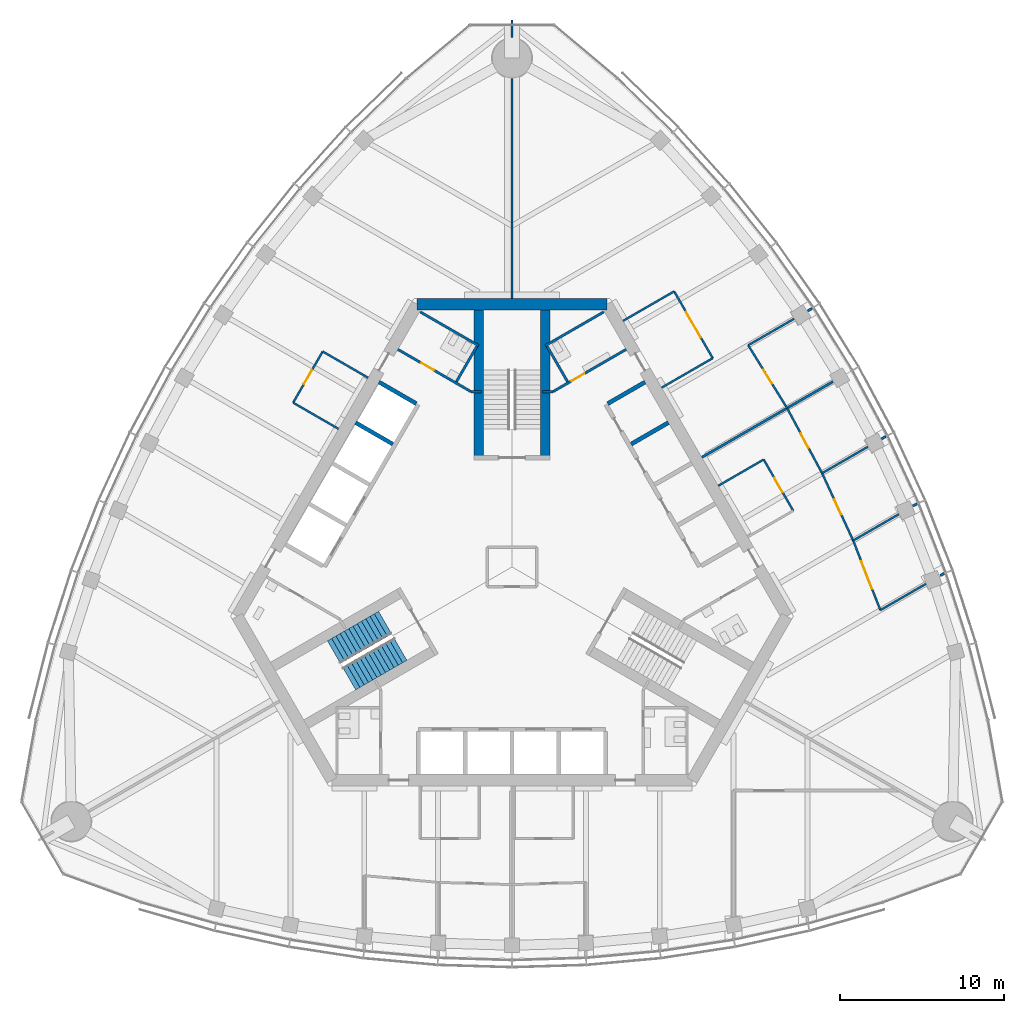
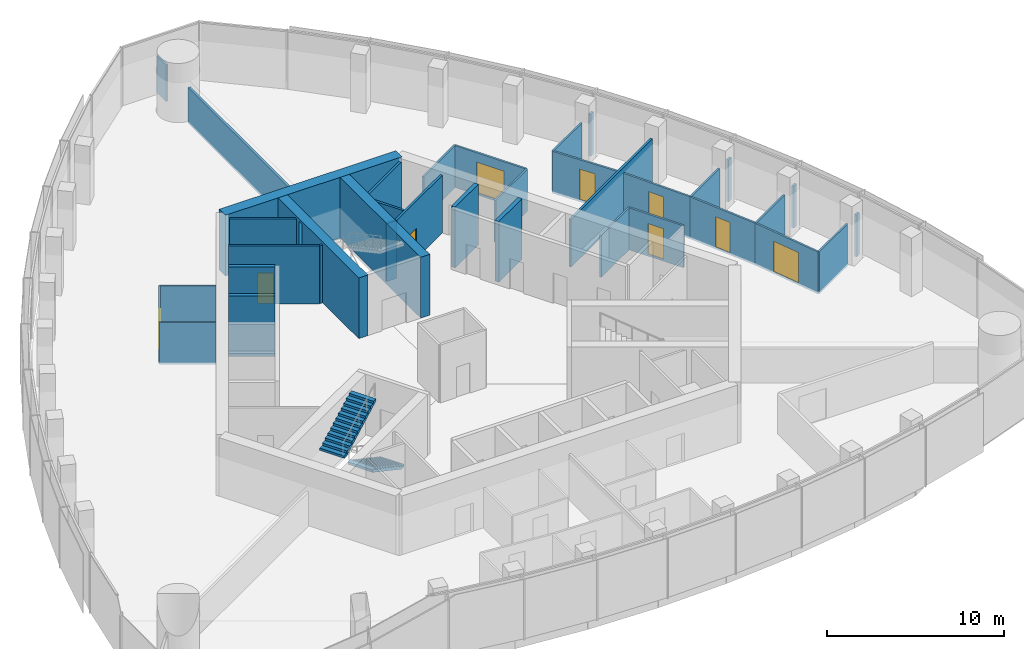
# One storey, part 10 of 16: 38 walls, 9 doors, 2 stair flights, 9 openings, 1 element without a shape of its own.
"""IFC4 building model written with IfcOpenShell, lengths in metres."""

from ifc_helpers import new_model, si_unit, direction, frame, frame_2d, origin, place, context, subcontext, project, spatial, polyline, rectangle, outline, extrude, material, layer, layer_set, type_object, element, fill, aggregate, save


model = new_model("IFC4")

# Units and contexts
model_context = context("Model", 3, precision=1e-05, world=origin(), true_north=direction((0.0, 1.0)))
body_context = subcontext(model_context, "Body", "Model", "MODEL_VIEW")
ifc_project = project(units=[si_unit("LENGTHUNIT", "METRE"), si_unit("AREAUNIT", "SQUARE_METRE"), si_unit("VOLUMEUNIT", "CUBIC_METRE"), si_unit("PLANEANGLEUNIT", "RADIAN"), si_unit("MASSUNIT", "GRAM", prefix="KILO")], contexts=[model_context])

# Site, building, storey
site_placement = place(None, origin())
site = spatial("IfcSite", under=ifc_project, at=site_placement, CompositionType="ELEMENT")
building_placement = place(site_placement, origin())
building = spatial("IfcBuilding", under=site, at=building_placement, Name="Trefoil Bronze Tower", CompositionType="ELEMENT")
storey_placement = place(building_placement, frame((0.0, 0.0, 297.300048828125)))
storey = spatial("IfcBuildingStorey", under=building, at=storey_placement, Name="L68", CompositionType="ELEMENT", Elevation=297.300048828125)

# Wall
ifc_material_1 = material(Name="Concrete B80", Category="concrete")
ifc_layer_1 = layer(ifc_material_1, 0.699951171875)
ifc_layer_set_1 = layer_set([ifc_layer_1], Name="Core wall 700")
wall_type_1 = type_object("IfcWallType", Name="Core wall 700", PredefinedType="SHEAR", material=ifc_layer_set_1)
wall_1_placement = place(storey_placement, frame((5.7734375, 16.0, 0.0), z_axis=(0.0, 0.0, 1.0), x_axis=(-1.0, 0.0, 0.0)))
element("IfcWall", 1, at=wall_1_placement, inside=storey, type_object=wall_type_1, Name="Core short wall 2 L68", PredefinedType="SHEAR", context=body_context, shape_type="SweptSolid", body=[
    extrude(rectangle(XDim=11.546875, YDim=0.699951171875, at=frame_2d((5.7734375, 0.0))), origin(), (0.0, 0.0, 1.0), 4.199951171875),
])

# Wall, opening, door
ifc_material_2 = material(Name="Glazed partition", Category="glass")
ifc_layer_2 = layer(ifc_material_2, 0.1201171875)
ifc_layer_set_2 = layer_set([ifc_layer_2], Name="Glazed partition 120")
wall_type_2 = type_object("IfcWallType", Name="Glazed partition 120", PredefinedType="PARTITIONING", material=ifc_layer_set_2)
wall_2_placement = place(storey_placement, frame((12.229248046875, 12.718505859375, 0.0), z_axis=(0.0, 0.0, 1.0), x_axis=(-0.500016218704, 0.866016039709, 0.0)))
wall_2 = element("IfcWall", 2, at=wall_2_placement, inside=storey, type_object=wall_type_2, Name="Partition F2 L68", PredefinedType="PARTITIONING", context=body_context, shape_type="SweptSolid", body=[
    extrude(rectangle(XDim=4.699951171875, YDim=0.1201171875, at=frame_2d((2.35009765625, 0.0))), origin(), (0.0, 0.0, 1.0), 2.89990234375),
])
opening_1_placement = place(wall_2_placement, frame((1.449951171875, 0.0, 0.14990234375)))
opening_1 = element("IfcOpeningElement", 3, at=opening_1_placement, cuts=wall_2, Name="Opening D10", PredefinedType="OPENING", context=body_context, shape_type="SweptSolid", body=[
    extrude(rectangle(XDim=1.800048828125, YDim=2.10009765625, at=frame_2d((0.89990234375, 1.050048828125))), frame((0.0, 0.070068359375, 0.0), z_axis=(0.0, -1.0, 0.0), x_axis=(1.0, 0.0, 0.0)), (0.0, 0.0, 1.0), 0.14013671875),
])
ifc_material_3 = material(Name="Timber door", Category="wood")
door_type_1 = type_object("IfcDoorType", Name="Double door 1800", OperationType="DOUBLE_DOOR_SINGLE_SWING", PredefinedType="DOOR", material=ifc_material_3)
door_1_placement = place(opening_1_placement, frame((1.800048828125, 0.0, 0.0), z_axis=(0.0, 0.0, 1.0), x_axis=(-1.0, 0.0, 0.0)))
door_1 = element("IfcDoor", 4, at=door_1_placement, inside=storey, type_object=door_type_1, Name="Reception door F2 L68", OperationType="DOUBLE_DOOR_SINGLE_SWING", OverallHeight=2.10009765625, OverallWidth=1.800048828125, PredefinedType="DOOR", context=body_context, shape_type="SweptSolid", body=[
    extrude(rectangle(XDim=1.800048828125, YDim=2.10009765625, at=frame_2d((0.89990234375, 1.050048828125))), frame((0.0, 0.02490234375, 0.0), z_axis=(0.0, -1.0, 0.0), x_axis=(1.0, 0.0, 0.0)), (0.0, 0.0, 1.0), 0.050048828125),
])
fill(opening_1, door_1)

wall_3_placement = place(storey_placement, frame((17.1328125, 3.42529296875, 0.0), z_axis=(0.0, 0.0, 1.0), x_axis=(-0.500012057535, 0.866018442252, 0.0)))
wall_3 = element("IfcWall", 5, at=wall_3_placement, inside=storey, type_object=wall_type_2, Name="Partition F2 L68", PredefinedType="PARTITIONING", context=body_context, shape_type="SweptSolid", body=[
    extrude(rectangle(XDim=3.60009765625, YDim=0.1201171875, at=frame_2d((1.800048828125, 0.0))), origin(), (0.0, 0.0, 1.0), 2.89990234375),
])
opening_2_placement = place(wall_3_placement, frame((1.300048828125, 0.0, 0.14990234375)))
opening_2 = element("IfcOpeningElement", 6, at=opening_2_placement, cuts=wall_3, Name="Opening D9", PredefinedType="OPENING", context=body_context, shape_type="SweptSolid", body=[
    extrude(rectangle(XDim=1.0, YDim=2.10009765625, at=frame_2d((0.5, 1.050048828125))), frame((0.0, 0.070068359375, 0.0), z_axis=(0.0, -1.0, 0.0), x_axis=(1.0, 0.0, 0.0)), (0.0, 0.0, 1.0), 0.14013671875),
])
ifc_material_4 = material(Name="Glazed timber door", Category="wood")
door_type_2 = type_object("IfcDoorType", Name="Meeting room door 1000", OperationType="SINGLE_SWING_LEFT", PredefinedType="DOOR", material=ifc_material_4)
door_2_placement = place(opening_2_placement, origin())
door_2 = element("IfcDoor", 7, at=door_2_placement, inside=storey, type_object=door_type_2, Name="Meeting room door F2 L68", OperationType="SINGLE_SWING_RIGHT", OverallHeight=2.10009765625, OverallWidth=1.0, PredefinedType="DOOR", context=body_context, shape_type="SweptSolid", body=[
    extrude(rectangle(XDim=1.0, YDim=2.10009765625, at=frame_2d((0.5, 1.050048828125))), frame((0.0, 0.02490234375, 0.0), z_axis=(0.0, -1.0, 0.0), x_axis=(1.0, 0.0, 0.0)), (0.0, 0.0, 1.0), 0.050048828125),
])
fill(opening_2, door_2)

# Walls
wall_4_placement = place(storey_placement, frame((9.111328125, 10.91845703125, 0.0), z_axis=(0.0, 0.0, 1.0), x_axis=(0.866035395735, 0.499982693035, 0.0)))
element("IfcWall", 8, at=wall_4_placement, inside=storey, type_object=wall_type_2, Name="Partition F2 L68", PredefinedType="PARTITIONING", context=body_context, shape_type="SweptSolid", body=[
    extrude(rectangle(XDim=3.600341796875, YDim=0.1201171875, at=frame_2d((1.80029296875, 0.0))), origin(), (0.0, 0.0, 1.0), 2.89990234375),
])
wall_5_placement = place(storey_placement, frame((6.761474609375, 14.98876953125, 0.0), z_axis=(0.0, 0.0, 1.0), x_axis=(0.866018442252, 0.500012057535, 0.0)))
element("IfcWall", 9, at=wall_5_placement, inside=storey, type_object=wall_type_2, Name="Partition F2 L68", PredefinedType="PARTITIONING", context=body_context, shape_type="SweptSolid", body=[
    extrude(rectangle(XDim=3.60009765625, YDim=0.1201171875, at=frame_2d((1.800048828125, 0.0))), origin(), (0.0, 0.0, 1.0), 2.89990234375),
])
wall_6_placement = place(storey_placement, frame((12.5615234375, 4.94287109375, 0.0), z_axis=(0.0, 0.0, 1.0), x_axis=(0.866008981251, 0.500028443584, 0.0)))
element("IfcWall", 10, at=wall_6_placement, inside=storey, type_object=wall_type_2, Name="Partition F2 L68", PredefinedType="PARTITIONING", context=body_context, shape_type="SweptSolid", body=[
    extrude(rectangle(XDim=3.199951171875, YDim=0.1201171875, at=frame_2d((1.60009765625, 0.0))), origin(), (0.0, 0.0, 1.0), 2.89990234375),
])

# Wall, opening, door
wall_7_placement = place(storey_placement, frame((16.759033203125, 9.67578125, 0.0), z_axis=(0.0, 0.0, 1.0), x_axis=(-0.525996140194, 0.850486954927, 0.0)))
wall_7 = element("IfcWall", 11, at=wall_7_placement, inside=storey, type_object=wall_type_2, Name="Partition F2 L68", PredefinedType="PARTITIONING", context=body_context, shape_type="SweptSolid", body=[
    extrude(rectangle(XDim=4.502197265625, YDim=0.1201171875, at=frame_2d((2.2509765625, 0.0))), origin(), (0.0, 0.0, 1.0), 2.89990234375),
])
opening_3_placement = place(wall_7_placement, frame((1.75, 0.0, 0.14990234375)))
opening_3 = element("IfcOpeningElement", 12, at=opening_3_placement, cuts=wall_7, Name="Opening D9", PredefinedType="OPENING", context=body_context, shape_type="SweptSolid", body=[
    extrude(rectangle(XDim=1.0, YDim=2.10009765625, at=frame_2d((0.5, 1.050048828125))), frame((0.0, 0.070068359375, 0.0), z_axis=(0.0, -1.0, 0.0), x_axis=(1.0, 0.0, 0.0)), (0.0, 0.0, 1.0), 0.14013671875),
])
door_3_placement = place(opening_3_placement, frame((1.0, 0.0, 0.0), z_axis=(0.0, 0.0, 1.0), x_axis=(-1.0, 0.0, 0.0)))
door_3 = element("IfcDoor", 13, at=door_3_placement, inside=storey, type_object=door_type_2, Name="Client meeting room door F2 L68", OperationType="SINGLE_SWING_RIGHT", OverallHeight=2.10009765625, OverallWidth=1.0, PredefinedType="DOOR", context=body_context, shape_type="SweptSolid", body=[
    extrude(rectangle(XDim=1.0, YDim=2.10009765625, at=frame_2d((0.5, 1.050048828125))), frame((0.0, 0.02490234375, 0.0), z_axis=(0.0, -1.0, 0.0), x_axis=(1.0, 0.0, 0.0)), (0.0, 0.0, 1.0), 0.050048828125),
])
fill(opening_3, door_3)

wall_8_placement = place(storey_placement, frame((22.439208984375, -2.63330078125, 0.0), z_axis=(0.0, 0.0, 1.0), x_axis=(-0.363212149153, 0.931706463811, 0.0)))
wall_8 = element("IfcWall", 14, at=wall_8_placement, inside=storey, type_object=wall_type_2, Name="Partition F2 L68", PredefinedType="PARTITIONING", context=body_context, shape_type="SweptSolid", body=[
    extrude(rectangle(XDim=4.552734375, YDim=0.1201171875, at=frame_2d((2.2763671875, 0.0))), origin(), (0.0, 0.0, 1.0), 2.89990234375),
])
opening_4_placement = place(wall_8_placement, frame((1.39990234375, 0.0, 0.14990234375)))
opening_4 = element("IfcOpeningElement", 15, at=opening_4_placement, cuts=wall_8, Name="Opening D10", PredefinedType="OPENING", context=body_context, shape_type="SweptSolid", body=[
    extrude(rectangle(XDim=1.800048828125, YDim=2.10009765625, at=frame_2d((0.89990234375, 1.050048828125))), frame((0.0, 0.070068359375, 0.0), z_axis=(0.0, -1.0, 0.0), x_axis=(1.0, 0.0, 0.0)), (0.0, 0.0, 1.0), 0.14013671875),
])
door_4_placement = place(opening_4_placement, frame((1.800048828125, 0.0, 0.0), z_axis=(0.0, 0.0, 1.0), x_axis=(-1.0, 0.0, 0.0)))
door_4 = element("IfcDoor", 16, at=door_4_placement, inside=storey, type_object=door_type_1, Name="Servery door F2 L68", OperationType="DOUBLE_DOOR_SINGLE_SWING", OverallHeight=2.10009765625, OverallWidth=1.800048828125, PredefinedType="DOOR", context=body_context, shape_type="SweptSolid", body=[
    extrude(rectangle(XDim=1.800048828125, YDim=2.10009765625, at=frame_2d((0.89990234375, 1.050048828125))), frame((0.0, 0.02490234375, 0.0), z_axis=(0.0, -1.0, 0.0), x_axis=(1.0, 0.0, 0.0)), (0.0, 0.0, 1.0), 0.050048828125),
])
fill(opening_4, door_4)

wall_9_placement = place(storey_placement, frame((18.890869140625, 5.71044921875, 0.0), z_axis=(0.0, 0.0, 1.0), x_axis=(-0.473524102582, 0.880780860529, 0.0)))
wall_9 = element("IfcWall", 17, at=wall_9_placement, inside=storey, type_object=wall_type_2, Name="Partition F2 L68", PredefinedType="PARTITIONING", context=body_context, shape_type="SweptSolid", body=[
    extrude(rectangle(XDim=4.501953125, YDim=0.1201171875, at=frame_2d((2.2509765625, 0.0))), origin(), (0.0, 0.0, 1.0), 2.89990234375),
])
opening_5_placement = place(wall_9_placement, frame((1.75, 0.0, 0.14990234375)))
opening_5 = element("IfcOpeningElement", 18, at=opening_5_placement, cuts=wall_9, Name="Opening D9", PredefinedType="OPENING", context=body_context, shape_type="SweptSolid", body=[
    extrude(rectangle(XDim=1.0, YDim=2.10009765625, at=frame_2d((0.5, 1.050048828125))), frame((0.0, 0.070068359375, 0.0), z_axis=(0.0, -1.0, 0.0), x_axis=(1.0, 0.0, 0.0)), (0.0, 0.0, 1.0), 0.14013671875),
])
door_5_placement = place(opening_5_placement, frame((1.0, 0.0, 0.0), z_axis=(0.0, 0.0, 1.0), x_axis=(-1.0, 0.0, 0.0)))
door_5 = element("IfcDoor", 19, at=door_5_placement, inside=storey, type_object=door_type_2, Name="Client meeting room door F2 L68", OperationType="SINGLE_SWING_RIGHT", OverallHeight=2.10009765625, OverallWidth=1.0, PredefinedType="DOOR", context=body_context, shape_type="SweptSolid", body=[
    extrude(rectangle(XDim=1.0, YDim=2.10009765625, at=frame_2d((0.5, 1.050048828125))), frame((0.0, 0.02490234375, 0.0), z_axis=(0.0, -1.0, 0.0), x_axis=(1.0, 0.0, 0.0)), (0.0, 0.0, 1.0), 0.050048828125),
])
fill(opening_5, door_5)

wall_10_placement = place(storey_placement, frame((20.78564453125, 1.6083984375, 0.0), z_axis=(0.0, 0.0, 1.0), x_axis=(-0.419335693458, 0.907831248742, 0.0)))
wall_10 = element("IfcWall", 20, at=wall_10_placement, inside=storey, type_object=wall_type_2, Name="Partition F2 L68", PredefinedType="PARTITIONING", context=body_context, shape_type="SweptSolid", body=[
    extrude(rectangle(XDim=4.5185546875, YDim=0.1201171875, at=frame_2d((2.25927734375, 0.0))), origin(), (0.0, 0.0, 1.0), 2.89990234375),
])
opening_6_placement = place(wall_10_placement, frame((1.75, 0.0, 0.14990234375)))
opening_6 = element("IfcOpeningElement", 21, at=opening_6_placement, cuts=wall_10, Name="Opening D9", PredefinedType="OPENING", context=body_context, shape_type="SweptSolid", body=[
    extrude(rectangle(XDim=1.0, YDim=2.10009765625, at=frame_2d((0.5, 1.050048828125))), frame((0.0, 0.070068359375, 0.0), z_axis=(0.0, -1.0, 0.0), x_axis=(1.0, 0.0, 0.0)), (0.0, 0.0, 1.0), 0.14013671875),
])
door_6_placement = place(opening_6_placement, frame((1.0, 0.0, 0.0), z_axis=(0.0, 0.0, 1.0), x_axis=(-1.0, 0.0, 0.0)))
door_6 = element("IfcDoor", 22, at=door_6_placement, inside=storey, type_object=door_type_2, Name="Client meeting room door F2 L68", OperationType="SINGLE_SWING_RIGHT", OverallHeight=2.10009765625, OverallWidth=1.0, PredefinedType="DOOR", context=body_context, shape_type="SweptSolid", body=[
    extrude(rectangle(XDim=1.0, YDim=2.10009765625, at=frame_2d((0.5, 1.050048828125))), frame((0.0, 0.02490234375, 0.0), z_axis=(0.0, -1.0, 0.0), x_axis=(1.0, 0.0, 0.0)), (0.0, 0.0, 1.0), 0.050048828125),
])
fill(opening_6, door_6)

# Walls
wall_11_placement = place(storey_placement, frame((14.390869140625, 13.5048828125, 0.0), z_axis=(0.0, 0.0, 1.0), x_axis=(0.866054182849, 0.499950149885, 0.0)))
element("IfcWall", 23, at=wall_11_placement, inside=storey, type_object=wall_type_2, Name="Partition F2 L68", PredefinedType="PARTITIONING", context=body_context, shape_type="SweptSolid", body=[
    extrude(rectangle(XDim=3.217529296875, YDim=0.1201171875, at=frame_2d((1.60888671875, 0.0))), origin(), (0.0, 0.0, 1.0), 2.89990234375),
])
wall_12_placement = place(storey_placement, frame((22.439208984375, -2.63330078125, 0.0), z_axis=(0.0, 0.0, 1.0), x_axis=(0.866012717091, 0.500021973353, 0.0)))
element("IfcWall", 24, at=wall_12_placement, inside=storey, type_object=wall_type_2, Name="Partition F2 L68", PredefinedType="PARTITIONING", context=body_context, shape_type="SweptSolid", body=[
    extrude(rectangle(XDim=3.198486328125, YDim=0.1201171875, at=frame_2d((1.59912109375, 0.0))), origin(), (0.0, 0.0, 1.0), 2.89990234375),
])
wall_13_placement = place(storey_placement, frame((18.890869140625, 5.71044921875, 0.0), z_axis=(0.0, 0.0, 1.0), x_axis=(0.866021328928, 0.500007057792, 0.0)))
element("IfcWall", 25, at=wall_13_placement, inside=storey, type_object=wall_type_2, Name="Partition F2 L68", PredefinedType="PARTITIONING", context=body_context, shape_type="SweptSolid", body=[
    extrude(rectangle(XDim=3.2177734375, YDim=0.1201171875, at=frame_2d((1.60888671875, 0.0))), origin(), (0.0, 0.0, 1.0), 2.89990234375),
])
wall_14_placement = place(storey_placement, frame((20.78564453125, 1.6083984375, 0.0), z_axis=(0.0, 0.0, 1.0), x_axis=(0.866039964284, 0.499974779627, 0.0)))
element("IfcWall", 26, at=wall_14_placement, inside=storey, type_object=wall_type_2, Name="Partition F2 L68", PredefinedType="PARTITIONING", context=body_context, shape_type="SweptSolid", body=[
    extrude(rectangle(XDim=3.210693359375, YDim=0.1201171875, at=frame_2d((1.60546875, 0.0))), origin(), (0.0, 0.0, 1.0), 2.89990234375),
])

# Wall, opening, door
wall_15_placement = place(storey_placement, frame((-11.53271484375, 13.124755859375, 0.0), z_axis=(0.0, 0.0, 1.0), x_axis=(-0.500012057535, -0.866018442252, 0.0)))
wall_15 = element("IfcWall", 27, at=wall_15_placement, inside=storey, type_object=wall_type_2, Name="Partition F3 L68", PredefinedType="PARTITIONING", context=body_context, shape_type="SweptSolid", body=[
    extrude(rectangle(XDim=3.60009765625, YDim=0.1201171875, at=frame_2d((1.800048828125, 0.0))), origin(), (0.0, 0.0, 1.0), 2.89990234375),
])
opening_7_placement = place(wall_15_placement, frame((1.300048828125, 0.0, 0.14990234375)))
opening_7 = element("IfcOpeningElement", 28, at=opening_7_placement, cuts=wall_15, Name="Opening D9", PredefinedType="OPENING", context=body_context, shape_type="SweptSolid", body=[
    extrude(rectangle(XDim=1.0, YDim=2.10009765625, at=frame_2d((0.5, 1.050048828125))), frame((0.0, 0.070068359375, 0.0), z_axis=(0.0, -1.0, 0.0), x_axis=(1.0, 0.0, 0.0)), (0.0, 0.0, 1.0), 0.14013671875),
])
door_7_placement = place(opening_7_placement, origin())
door_7 = element("IfcDoor", 29, at=door_7_placement, inside=storey, type_object=door_type_2, Name="Meeting room door F3 L68", OperationType="SINGLE_SWING_RIGHT", OverallHeight=2.10009765625, OverallWidth=1.0, PredefinedType="DOOR", context=body_context, shape_type="SweptSolid", body=[
    extrude(rectangle(XDim=1.0, YDim=2.10009765625, at=frame_2d((0.5, 1.050048828125))), frame((0.0, 0.02490234375, 0.0), z_axis=(0.0, -1.0, 0.0), x_axis=(1.0, 0.0, 0.0)), (0.0, 0.0, 1.0), 0.050048828125),
])
fill(opening_7, door_7)

# Walls
for number, where, z_axis, x_axis, name in (
    (30, (-10.5615234375, 8.406982421875, 0.0), (0.0, 0.0, 1.0), (-0.866008981251, 0.500028443584, 0.0), "Partition F3 L68"),
    (31, (-8.761474609375, 11.524658203125, 0.0), (0.0, 0.0, 1.0), (-0.866008981251, 0.500028443584, 0.0), "Partition F3 L68"),
):
    element("IfcWall", number, at=place(storey_placement, frame(where, z_axis=z_axis, x_axis=x_axis)), inside=storey, type_object=wall_type_2, Name=name, PredefinedType="PARTITIONING", context=body_context, shape_type="SweptSolid", body=[
        extrude(rectangle(XDim=3.199951171875, YDim=0.1201171875, at=frame_2d((1.60009765625, 0.0))), origin(), (0.0, 0.0, 1.0), 2.89990234375),
    ])

# Wall, opening, door
ifc_material_5 = material(Name="Gypsum board on steel studs", Category="steel")
ifc_layer_3 = layer(ifc_material_5, 0.14990234375)
ifc_layer_set_3 = layer_set([ifc_layer_3], Name="Partition 150")
wall_type_3 = type_object("IfcWallType", Name="Partition 150", PredefinedType="PARTITIONING", material=ifc_layer_set_3)
wall_16_placement = place(storey_placement, frame((2.4951171875, 10.67822265625, 0.0), z_axis=(0.0, 0.0, 1.0), x_axis=(0.866037967349, 0.499978238636, 0.0)))
wall_16 = element("IfcWall", 32, at=wall_16_placement, inside=storey, type_object=wall_type_3, Name="Passage wall F2+ L68", PredefinedType="PARTITIONING", context=body_context, shape_type="SweptSolid", body=[
    extrude(rectangle(XDim=5.150146484375, YDim=0.14990234375, at=frame_2d((2.5751953125, 0.0))), origin(), (0.0, 0.0, 1.0), 4.0),
])
opening_8_placement = place(wall_16_placement, frame((1.300048828125, 0.0, 0.0)))
opening_8 = element("IfcOpeningElement", 33, at=opening_8_placement, cuts=wall_16, Name="Opening D3", PredefinedType="OPENING", context=body_context, shape_type="SweptSolid", body=[
    extrude(rectangle(XDim=0.89990234375, YDim=2.10009765625, at=frame_2d((0.449951171875, 1.050048828125))), frame((0.0, 0.0849609375, 0.0), z_axis=(0.0, -1.0, 0.0), x_axis=(1.0, 0.0, 0.0)), (0.0, 0.0, 1.0), 0.169921875),
])
ifc_material_6 = material(Name="Timber door", Category="wood")
door_type_3 = type_object("IfcDoorType", Name="WC door 900", OperationType="SINGLE_SWING_LEFT", PredefinedType="DOOR", material=ifc_material_6)
door_8_placement = place(opening_8_placement, origin())
door_8 = element("IfcDoor", 34, at=door_8_placement, inside=storey, type_object=door_type_3, Name="WC (men) door L68", OperationType="SINGLE_SWING_LEFT", OverallHeight=2.10009765625, OverallWidth=0.89990234375, PredefinedType="DOOR", context=body_context, shape_type="SweptSolid", body=[
    extrude(rectangle(XDim=0.89990234375, YDim=2.10009765625, at=frame_2d((0.449951171875, 1.050048828125))), frame((0.0, 0.02490234375, 0.0), z_axis=(0.0, -1.0, 0.0), x_axis=(1.0, 0.0, 0.0)), (0.0, 0.0, 1.0), 0.050048828125),
])
fill(opening_8, door_8)

wall_17_placement = place(storey_placement, frame((-2.4951171875, 10.67822265625, 0.0), z_axis=(0.0, 0.0, 1.0), x_axis=(-0.866037967349, 0.499978238636, 0.0)))
wall_17 = element("IfcWall", 35, at=wall_17_placement, inside=storey, type_object=wall_type_3, Name="Passage wall F3- L68", PredefinedType="PARTITIONING", context=body_context, shape_type="SweptSolid", body=[
    extrude(rectangle(XDim=5.150146484375, YDim=0.14990234375, at=frame_2d((2.5751953125, 0.0))), origin(), (0.0, 0.0, 1.0), 4.0),
])
opening_9_placement = place(wall_17_placement, frame((2.60009765625, 0.0, 0.0)))
opening_9 = element("IfcOpeningElement", 36, at=opening_9_placement, cuts=wall_17, Name="Opening D3", PredefinedType="OPENING", context=body_context, shape_type="SweptSolid", body=[
    extrude(rectangle(XDim=0.89990234375, YDim=2.10009765625, at=frame_2d((0.449951171875, 1.050048828125))), frame((0.0, 0.0849609375, 0.0), z_axis=(0.0, -1.0, 0.0), x_axis=(1.0, 0.0, 0.0)), (0.0, 0.0, 1.0), 0.169921875),
])
door_9_placement = place(opening_9_placement, frame((0.89990234375, 0.0, 0.0), z_axis=(0.0, 0.0, 1.0), x_axis=(-1.0, 0.0, 0.0)))
door_9 = element("IfcDoor", 37, at=door_9_placement, inside=storey, type_object=door_type_3, Name="WC (women) door L68", OperationType="SINGLE_SWING_RIGHT", OverallHeight=2.10009765625, OverallWidth=0.89990234375, PredefinedType="DOOR", context=body_context, shape_type="SweptSolid", body=[
    extrude(rectangle(XDim=0.89990234375, YDim=2.10009765625, at=frame_2d((0.449951171875, 1.050048828125))), frame((0.0, 0.02490234375, 0.0), z_axis=(0.0, -1.0, 0.0), x_axis=(1.0, 0.0, 0.0)), (0.0, 0.0, 1.0), 0.050048828125),
])
fill(opening_9, door_9)

# Walls
for number, where, z_axis, x_axis, name in (
    (38, (2.4951171875, 10.67822265625, 0.0), (0.0, 0.0, 1.0), (-1.0, 0.0, 0.0), "WC wall ST2-1 L68"),
    (39, (-2.4951171875, 10.67822265625, 0.0), (0.0, 0.0, 1.0), (1.0, 0.0, 0.0), "WC wall ST2+1 L68"),
):
    element("IfcWall", number, at=place(storey_placement, frame(where, z_axis=z_axis, x_axis=x_axis)), inside=storey, type_object=wall_type_3, Name=name, PredefinedType="PARTITIONING", context=body_context, shape_type="SweptSolid", body=[
        extrude(rectangle(XDim=0.64501953125, YDim=0.14990234375, at=frame_2d((0.322509765625, 0.0))), origin(), (0.0, 0.0, 1.0), 4.0),
    ])
wall_18_placement = place(storey_placement, frame((2.03125, 13.48193359375, 0.0), z_axis=(0.0, 0.0, 1.0), x_axis=(0.866050731258, 0.499956128963, 0.0)))
element("IfcWall", 40, at=wall_18_placement, inside=storey, type_object=wall_type_3, Name="WC partition WC (men) L68", PredefinedType="PARTITIONING", context=body_context, shape_type="SweptSolid", body=[
    extrude(rectangle(XDim=4.099853515625, YDim=0.14990234375, at=frame_2d((2.0498046875, 0.0))), origin(), (0.0, 0.0, 1.0), 4.0),
])
wall_19_placement = place(storey_placement, frame((3.388671875, 11.28076171875, 0.0), z_axis=(0.0, 0.0, 1.0), x_axis=(-0.499989096993, 0.866031698547, 0.0)))
element("IfcWall", 41, at=wall_19_placement, inside=storey, type_object=wall_type_3, Name="WC partition WC (men) L68", PredefinedType="PARTITIONING", context=body_context, shape_type="SweptSolid", body=[
    extrude(rectangle(XDim=2.509765625, YDim=0.14990234375, at=frame_2d((1.2548828125, 0.0))), origin(), (0.0, 0.0, 1.0), 4.0),
])
wall_20_placement = place(storey_placement, frame((-2.03125, 13.48193359375, 0.0), z_axis=(0.0, 0.0, 1.0), x_axis=(-0.866050731258, 0.499956128963, 0.0)))
element("IfcWall", 42, at=wall_20_placement, inside=storey, type_object=wall_type_3, Name="WC partition WC (women) L68", PredefinedType="PARTITIONING", context=body_context, shape_type="SweptSolid", body=[
    extrude(rectangle(XDim=4.099853515625, YDim=0.14990234375, at=frame_2d((2.0498046875, 0.0))), origin(), (0.0, 0.0, 1.0), 4.0),
])
wall_21_placement = place(storey_placement, frame((-3.388671875, 11.28076171875, 0.0), z_axis=(0.0, 0.0, 1.0), x_axis=(0.499989096993, 0.866031698547, 0.0)))
element("IfcWall", 43, at=wall_21_placement, inside=storey, type_object=wall_type_3, Name="WC partition WC (women) L68", PredefinedType="PARTITIONING", context=body_context, shape_type="SweptSolid", body=[
    extrude(rectangle(XDim=2.509765625, YDim=0.14990234375, at=frame_2d((1.2548828125, 0.0))), origin(), (0.0, 0.0, 1.0), 4.0),
])
wall_22_placement = place(storey_placement, frame((18.010009765625, 15.59423828125, 0.0), z_axis=(0.0, 0.0, 1.0), x_axis=(0.866095534226, 0.499878510834, 0.0)))
element("IfcWall", 44, at=wall_22_placement, inside=storey, type_object=wall_type_3, Name="Partition F2 L68", PredefinedType="PARTITIONING", context=body_context, shape_type="SweptSolid", body=[
    extrude(rectangle(XDim=0.31591796875, YDim=0.14990234375, at=frame_2d((0.157958984375, 0.0))), origin(), (0.0, 0.0, 1.0), 2.89990234375),
])
wall_23_placement = place(storey_placement, frame((26.08935546875, -0.52587890625, 0.0), z_axis=(0.0, 0.0, 1.0), x_axis=(0.865982457891, 0.500074377092, 0.0)))
element("IfcWall", 45, at=wall_23_placement, inside=storey, type_object=wall_type_3, Name="Partition F2 L68", PredefinedType="PARTITIONING", context=body_context, shape_type="SweptSolid", body=[
    extrude(rectangle(XDim=0.2802734375, YDim=0.14990234375, at=frame_2d((0.14013671875, 0.0))), origin(), (0.0, 0.0, 1.0), 2.89990234375),
])
wall_24_placement = place(storey_placement, frame((22.510009765625, 7.800048828125, 0.0), z_axis=(0.0, 0.0, 1.0), x_axis=(0.866095534226, 0.499878510834, 0.0)))
element("IfcWall", 46, at=wall_24_placement, inside=storey, type_object=wall_type_3, Name="Partition F2 L68", PredefinedType="PARTITIONING", context=body_context, shape_type="SweptSolid", body=[
    extrude(rectangle(XDim=0.31591796875, YDim=0.14990234375, at=frame_2d((0.157958984375, 0.0))), origin(), (0.0, 0.0, 1.0), 2.89990234375),
])
wall_25_placement = place(storey_placement, frame((24.42236328125, 3.7080078125, 0.0), z_axis=(0.0, 0.0, 1.0), x_axis=(0.866254317358, 0.499603300288, 0.0)))
element("IfcWall", 47, at=wall_25_placement, inside=storey, type_object=wall_type_3, Name="Partition F2 L68", PredefinedType="PARTITIONING", context=body_context, shape_type="SweptSolid", body=[
    extrude(rectangle(XDim=0.295654296875, YDim=0.14990234375, at=frame_2d((0.14794921875, 0.0))), origin(), (0.0, 0.0, 1.0), 2.89990234375),
])
ifc_material_7 = material(Name="Gypsum board on steel studs", Category="steel")
ifc_layer_4 = layer(ifc_material_7, 0.14990234375)
ifc_layer_set_4 = layer_set([ifc_layer_4], Name="Party wall 150")
wall_type_4 = type_object("IfcWallType", Name="Party wall 150", PredefinedType="PARTITIONING", material=ifc_layer_set_4)
wall_26_placement = place(storey_placement, frame((0.0, 16.35009765625, 0.0), z_axis=(0.0, 0.0, 1.0), x_axis=(0.0, 1.0, 0.0)))
element("IfcWall", 48, at=wall_26_placement, inside=storey, type_object=wall_type_4, Name="Party wall K2 L68", PredefinedType="PARTITIONING", context=body_context, shape_type="SweptSolid", body=[
    extrude(rectangle(XDim=13.39990234375, YDim=0.14990234375, at=frame_2d((6.699951171875, 0.0))), origin(), (0.0, 0.0, 1.0), 2.5),
])
wall_27_placement = place(storey_placement, frame((0.0, 32.25, 0.0), z_axis=(0.0, 0.0, 1.0), x_axis=(0.0, 1.0, 0.0)))
element("IfcWall", 49, at=wall_27_placement, inside=storey, type_object=wall_type_4, Name="Party wall K2 L68", PredefinedType="PARTITIONING", context=body_context, shape_type="SweptSolid", body=[
    extrude(rectangle(XDim=1.06982421875, YDim=0.14990234375, at=frame_2d((0.534912109375, 0.0))), origin(), (0.0, 0.0, 1.0), 2.5),
])
wall_28_placement = place(storey_placement, frame((11.570068359375, 6.679931640625, 0.0), z_axis=(0.0, 0.0, 1.0), x_axis=(0.866019635725, 0.500009990439, 0.0)))
element("IfcWall", 50, at=wall_28_placement, inside=storey, type_object=wall_type_4, Name="Demising wall F2 L68", PredefinedType="PARTITIONING", context=body_context, shape_type="SweptSolid", body=[
    extrude(rectangle(XDim=9.211669921875, YDim=0.14990234375, at=frame_2d((4.60595703125, 0.0))), origin(), (0.0, 0.0, 1.0), 3.300048828125),
])
ifc_material_8 = material(Name="Concrete B80", Category="concrete")
ifc_layer_5 = layer(ifc_material_8, 0.25)
ifc_layer_set_5 = layer_set([ifc_layer_5], Name="Shaft wall 250")
wall_type_5 = type_object("IfcWallType", Name="Shaft wall 250", PredefinedType="SHEAR", material=ifc_layer_set_5)
for number, where, z_axis, x_axis, name in (
    (51, (7.2568359375, 7.480712890625, 0.0), (0.0, 0.0, 1.0), (0.866036909293, 0.499980071345, 0.0), "Lift shaft side wall B3 L68"),
    (52, (5.831787109375, 9.94873046875, 0.0), (0.0, 0.0, 1.0), (0.866036909293, 0.499980071345, 0.0), "Lift shaft side wall B4 L68"),
    (53, (-5.831787109375, 9.94873046875, 0.0), (0.0, 0.0, 1.0), (-0.866036909293, 0.499980071345, 0.0), "Lift shaft side wall C0 L68"),
    (54, (-7.2568359375, 7.480712890625, 0.0), (0.0, 0.0, 1.0), (-0.866036909293, 0.499980071345, 0.0), "Lift shaft side wall C1 L68"),
):
    element("IfcWall", number, at=place(storey_placement, frame(where, z_axis=z_axis, x_axis=x_axis)), inside=storey, type_object=wall_type_5, Name=name, PredefinedType="SHEAR", context=body_context, shape_type="SweptSolid", body=[
        extrude(rectangle(XDim=2.625, YDim=0.25, at=frame_2d((1.3125, 0.0))), origin(), (0.0, 0.0, 1.0), 4.199951171875),
    ])
ifc_material_9 = material(Name="Concrete B80", Category="concrete")
ifc_layer_6 = layer(ifc_material_9, 0.60009765625)
ifc_layer_set_6 = layer_set([ifc_layer_6], Name="Stair wall 600")
wall_type_6 = type_object("IfcWallType", Name="Stair wall 600", PredefinedType="SHEAR", material=ifc_layer_set_6)
for number, where, z_axis, x_axis, name in (
    (55, (2.02490234375, 6.52490234375, 0.0), (0.0, 0.0, 1.0), (0.0, 1.0, 0.0), "Stair wall ST2 L68"),
    (56, (-2.02490234375, 6.52490234375, 0.0), (0.0, 0.0, 1.0), (0.0, 1.0, 0.0), "Stair wall ST2 L68"),
):
    element("IfcWall", number, at=place(storey_placement, frame(where, z_axis=z_axis, x_axis=x_axis)), inside=storey, type_object=wall_type_6, Name=name, PredefinedType="SHEAR", context=body_context, shape_type="SweptSolid", body=[
        extrude(rectangle(XDim=9.125, YDim=0.60009765625, at=frame_2d((4.5625, 0.0))), origin(), (0.0, 0.0, 1.0), 4.199951171875),
    ])

# Stair, stair flights
ifc_material_10 = material(Name="Precast concrete B80", Category="concrete")
stair_type = type_object("IfcStairType", Name="Exit stair 26 risers", PredefinedType="HALF_TURN_STAIR", material=ifc_material_10)
stair_placement = place(storey_placement, origin())
stair = element("IfcStair", 57, at=stair_placement, inside=storey, type_object=stair_type, Name="Stair ST3 L68", PredefinedType="HALF_TURN_STAIR")
ifc_material_11 = material(Name="Precast concrete B80", Category="concrete")
stair_flight_type = type_object("IfcStairFlightType", Name="Stair flight 1600", PredefinedType="STRAIGHT", material=ifc_material_11)
stair_flight_1_placement = place(storey_placement, frame((-6.803466796875, -4.99609375, 0.0), z_axis=(0.0, 0.0, 1.0), x_axis=(-0.866025403784, -0.5, 0.0)))
stair_flight_1 = element("IfcStairFlight", 58, at=stair_flight_1_placement, type_object=stair_flight_type, Name="ST3 flight 1", NumberOfRisers=13, NumberOfTreads=12, PredefinedType="STRAIGHT", RiserHeight=0.161538462, TreadLength=0.3, context=body_context, shape_type="SweptSolid", body=[
    extrude(outline(polyline([(0.0, 0.0), (0.0, 0.16162109375), (0.300048828125, 0.16162109375), (0.300048828125, 0.322998046875), (0.60009765625, 0.322998046875), (0.60009765625, 0.484619140625), (0.89990234375, 0.484619140625), (0.89990234375, 0.646240234375), (1.199951171875, 0.646240234375), (1.199951171875, 0.8076171875), (1.5, 0.8076171875), (1.5, 0.96923828125), (1.800048828125, 0.96923828125), (1.800048828125, 1.130859375), (2.10009765625, 1.130859375), (2.10009765625, 1.292236328125), (2.39990234375, 1.292236328125), (2.39990234375, 1.453857421875), (2.699951171875, 1.453857421875), (2.699951171875, 1.615478515625), (3.0, 1.615478515625), (3.0, 1.77685546875), (3.300048828125, 1.77685546875), (3.300048828125, 1.9384765625), (3.60009765625, 1.9384765625), (3.60009765625, 2.10009765625), (3.60009765625, 1.768310546875), (0.316162109375, 0.0), (0.0, 0.0)])), frame((0.0, 0.800048828125, 0.0), z_axis=(0.0, -1.0, 0.0), x_axis=(1.0, 0.0, 0.0)), (0.0, 0.0, 1.0), 1.60009765625),
])
stair_flight_2_placement = place(storey_placement, frame((-10.84619140625, -5.19384765625, 2.099853515625), z_axis=(0.0, 0.0, 1.0), x_axis=(0.866025403784, 0.5, 0.0)))
stair_flight_2 = element("IfcStairFlight", 59, at=stair_flight_2_placement, type_object=stair_flight_type, Name="ST3 flight 2", NumberOfRisers=13, NumberOfTreads=12, PredefinedType="STRAIGHT", RiserHeight=0.161538462, TreadLength=0.3, context=body_context, shape_type="SweptSolid", body=[
    extrude(outline(polyline([(0.0, 0.0), (0.0, 0.16162109375), (0.300048828125, 0.16162109375), (0.300048828125, 0.322998046875), (0.60009765625, 0.322998046875), (0.60009765625, 0.484619140625), (0.89990234375, 0.484619140625), (0.89990234375, 0.646240234375), (1.199951171875, 0.646240234375), (1.199951171875, 0.8076171875), (1.5, 0.8076171875), (1.5, 0.96923828125), (1.800048828125, 0.96923828125), (1.800048828125, 1.130859375), (2.10009765625, 1.130859375), (2.10009765625, 1.292236328125), (2.39990234375, 1.292236328125), (2.39990234375, 1.453857421875), (2.699951171875, 1.453857421875), (2.699951171875, 1.615478515625), (3.0, 1.615478515625), (3.0, 1.77685546875), (3.300048828125, 1.77685546875), (3.300048828125, 1.9384765625), (3.60009765625, 1.9384765625), (3.60009765625, 2.10009765625), (3.60009765625, 1.768310546875), (0.316162109375, 0.0), (0.0, 0.0)])), frame((0.0, 0.800048828125, 0.0), z_axis=(0.0, -1.0, 0.0), x_axis=(1.0, 0.0, 0.0)), (0.0, 0.0, 1.0), 1.60009765625),
])
aggregate(stair, [stair_flight_1, stair_flight_2])

save(model, "model.ifc")
